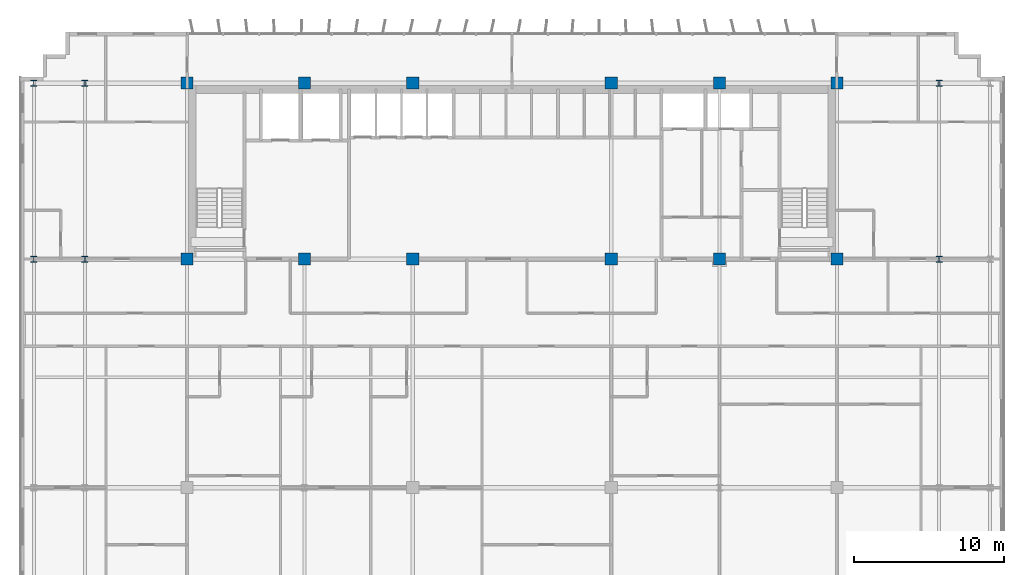
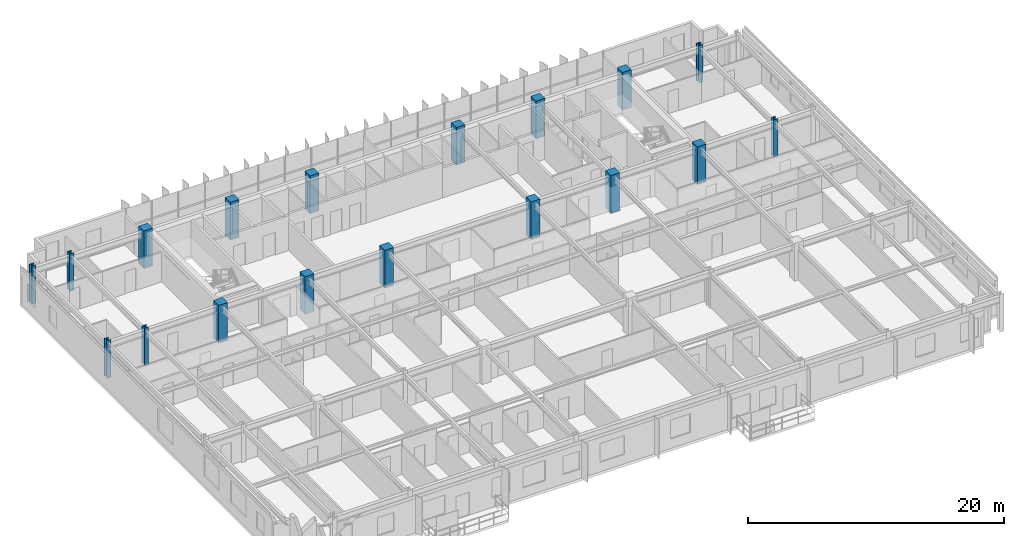
# One storey, part 2 of 22: 18 columns.
"""IFC4 building model written with IfcOpenShell, lengths in metres."""

from ifc_helpers import new_model, si_unit, direction, frame, origin, origin_2d, place, context, subcontext, project, spatial, rectangle, i_section, extrude, source, transform, mapped, material, material_profile, profile_set, type_object, element, save


model = new_model("IFC4")

# Units and contexts
model_context = context("Model", 3, precision=1e-05, world=origin(), true_north=direction((0.0, 1.0)))
body_context = subcontext(model_context, "Body", "Model", "MODEL_VIEW")
ifc_project = project(units=[si_unit("LENGTHUNIT", "METRE"), si_unit("AREAUNIT", "SQUARE_METRE"), si_unit("VOLUMEUNIT", "CUBIC_METRE"), si_unit("PLANEANGLEUNIT", "RADIAN"), si_unit("MASSUNIT", "GRAM", prefix="KILO")], contexts=[model_context])

# Site, building, storey
site_placement = place(None, origin())
site = spatial("IfcSite", under=ifc_project, at=site_placement, CompositionType="ELEMENT")
building_placement = place(site_placement, origin())
building = spatial("IfcBuilding", under=site, at=building_placement, Name="Trelvane Seafront Commons", CompositionType="ELEMENT")
storey_placement = place(building_placement, frame((0.0, 0.0, 114.10009765625)))
storey = spatial("IfcBuildingStorey", under=building, at=storey_placement, Name="L29", CompositionType="ELEMENT", Elevation=114.10009765625)

# Columns
ifc_material_1 = material(Name="Steel SM355 (S355)", Category="steel")
ifc_material_profile_1 = material_profile(ifc_material_1, i_section(OverallWidth=0.39990234375, OverallDepth=0.39990234375, WebThickness=0.02197265625, FlangeThickness=0.034912109375, at=origin_2d()), Name="HD-400x400x22x35")
ifc_profile_set_1 = profile_set([ifc_material_profile_1], Name="Steel SM355 (S355)")
column_type_1 = type_object("IfcColumnType", Name="STR-COL-HD400", PredefinedType="COLUMN", material=ifc_profile_set_1)
shared_shape_1 = source(origin(), body_context, "Body", "SweptSolid", [
    extrude(i_section(OverallWidth=0.39990234375, OverallDepth=0.39990234375, WebThickness=0.02197265625, FlangeThickness=0.034912109375, at=origin_2d()), origin(), (0.0, 0.0, 1.0), 3.599853515625),
])
for number, where, z_axis, x_axis, name in (
    (1, (5.39990234375, 33.39990234375, 0.0), (0.0, 0.0, 1.0), (1.0, 0.0, 0.0), "L29 Column TC-CS5.4"),
    (2, (5.39990234375, 45.10009765625, 0.0), (0.0, 0.0, 1.0), (1.0, 0.0, 0.0), "L29 Column TC-CN5.4"),
    (3, (8.800048828125, 33.39990234375, 0.0), (0.0, 0.0, 1.0), (1.0, 0.0, 0.0), "L29 Column TC-CS8.8"),
    (4, (8.800048828125, 45.10009765625, 0.0), (0.0, 0.0, 1.0), (1.0, 0.0, 0.0), "L29 Column TC-CN8.8"),
    (5, (65.60009765625, 33.39990234375, 0.0), (0.0, 0.0, 1.0), (1.0, 0.0, 0.0), "L29 Column TC-CS65.6"),
    (6, (65.60009765625, 45.10009765625, 0.0), (0.0, 0.0, 1.0), (1.0, 0.0, 0.0), "L29 Column TC-CN65.6"),
):
    element("IfcColumn", number, at=place(storey_placement, frame(where, z_axis=z_axis, x_axis=x_axis)), inside=storey, type_object=column_type_1, Name=name, PredefinedType="COLUMN", context=body_context, shape_type="MappedRepresentation", body=[
        mapped(shared_shape_1, transform((0.0, 0.0, 0.0), x_axis=(1.0, 0.0, 0.0), y_axis=(0.0, 1.0, 0.0), z_axis=(0.0, 0.0, 1.0), scale=1.0)),
    ])
ifc_material_2 = material(Name="Concrete C60/75", Category="concrete")
ifc_material_profile_2 = material_profile(ifc_material_2, rectangle(XDim=0.800048828125, YDim=0.800048828125, at=origin_2d()), Name="RC-800x800")
ifc_profile_set_2 = profile_set([ifc_material_profile_2], Name="Concrete C60/75")
column_type_2 = type_object("IfcColumnType", Name="STR-COL-RC800", PredefinedType="COLUMN", material=ifc_profile_set_2)
shared_shape_2 = source(origin(), body_context, "Body", "SweptSolid", [
    extrude(rectangle(XDim=0.800048828125, YDim=0.800048828125, at=origin_2d()), origin(), (0.0, 0.0, 1.0), 3.599853515625),
])
for number, where, z_axis, x_axis, name in (
    (7, (15.60009765625, 33.39990234375, 0.0), (0.0, 0.0, 1.0), (1.0, 0.0, 0.0), "L29 Column TC-CS15.6"),
    (8, (15.60009765625, 45.10009765625, 0.0), (0.0, 0.0, 1.0), (1.0, 0.0, 0.0), "L29 Column TC-CN15.6"),
    (9, (23.39990234375, 33.39990234375, 0.0), (0.0, 0.0, 1.0), (1.0, 0.0, 0.0), "L29 Column TC-CS23.4"),
    (10, (23.39990234375, 45.10009765625, 0.0), (0.0, 0.0, 1.0), (1.0, 0.0, 0.0), "L29 Column TC-CN23.4"),
    (11, (30.60009765625, 33.39990234375, 0.0), (0.0, 0.0, 1.0), (1.0, 0.0, 0.0), "L29 Column TC-CS30.6"),
    (12, (30.60009765625, 45.10009765625, 0.0), (0.0, 0.0, 1.0), (1.0, 0.0, 0.0), "L29 Column TC-CN30.6"),
    (13, (43.800048828125, 33.39990234375, 0.0), (0.0, 0.0, 1.0), (1.0, 0.0, 0.0), "L29 Column TC-CS43.8"),
    (14, (43.800048828125, 45.10009765625, 0.0), (0.0, 0.0, 1.0), (1.0, 0.0, 0.0), "L29 Column TC-CN43.8"),
    (15, (51.0, 33.39990234375, 0.0), (0.0, 0.0, 1.0), (1.0, 0.0, 0.0), "L29 Column TC-CS51.0"),
    (16, (51.0, 45.10009765625, 0.0), (0.0, 0.0, 1.0), (1.0, 0.0, 0.0), "L29 Column TC-CN51.0"),
    (17, (58.800048828125, 33.39990234375, 0.0), (0.0, 0.0, 1.0), (1.0, 0.0, 0.0), "L29 Column TC-CS58.8"),
    (18, (58.800048828125, 45.10009765625, 0.0), (0.0, 0.0, 1.0), (1.0, 0.0, 0.0), "L29 Column TC-CN58.8"),
):
    element("IfcColumn", number, at=place(storey_placement, frame(where, z_axis=z_axis, x_axis=x_axis)), inside=storey, type_object=column_type_2, Name=name, PredefinedType="COLUMN", context=body_context, shape_type="MappedRepresentation", body=[
        mapped(shared_shape_2, transform((0.0, 0.0, 0.0), x_axis=(1.0, 0.0, 0.0), y_axis=(0.0, 1.0, 0.0), z_axis=(0.0, 0.0, 1.0), scale=1.0)),
    ])

save(model, "model.ifc")
